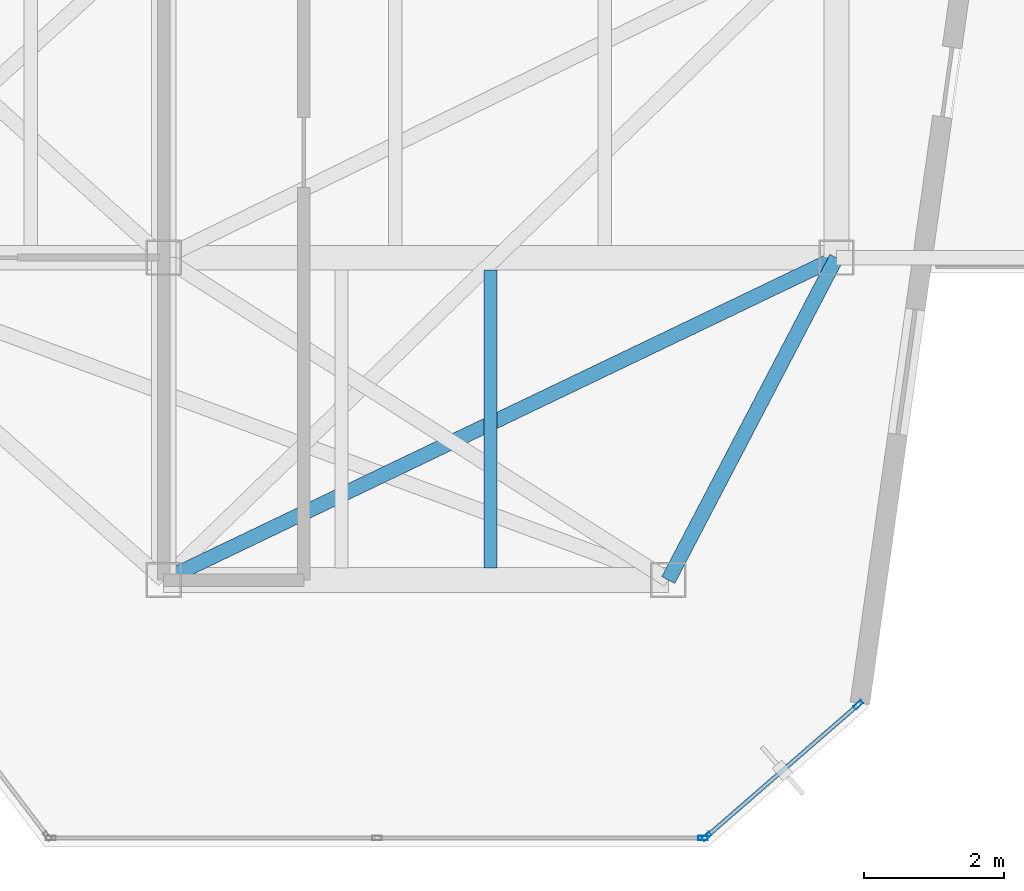
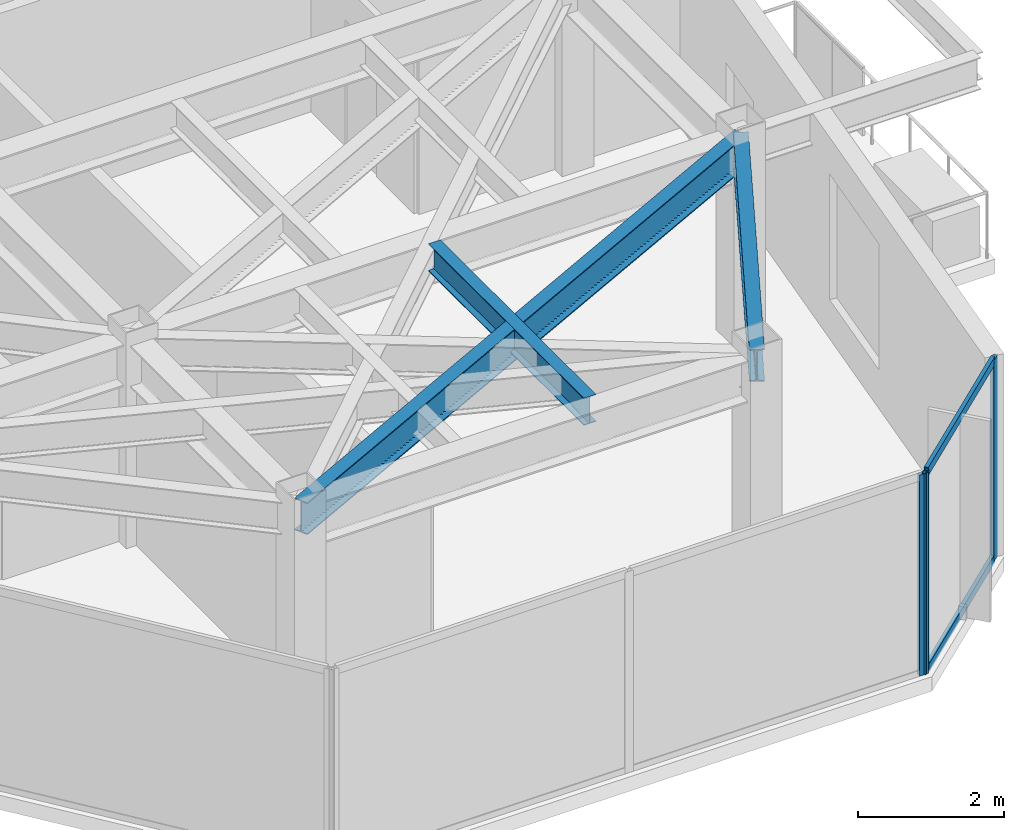
# One storey, part 13 of 19: 5 members, 3 beams, 2 elements without a shape of their own.
"""IFC4 building model written with IfcOpenShell, lengths in metres."""

from ifc_helpers import new_model, si_unit, direction, frame, origin, origin_2d, place, context, subcontext, project, spatial, hollow_rectangle, i_section, extrude, material, layer, layer_set, material_profile, profile_set, type_object, element, aggregate, save


model = new_model("IFC4")

# Units and contexts
model_context = context("Model", 3, precision=1e-05, world=origin(), true_north=direction((0.0, 1.0)))
body_context = subcontext(model_context, "Body", "Model", "MODEL_VIEW")
ifc_project = project(units=[si_unit("LENGTHUNIT", "METRE"), si_unit("AREAUNIT", "SQUARE_METRE"), si_unit("VOLUMEUNIT", "CUBIC_METRE"), si_unit("PLANEANGLEUNIT", "RADIAN"), si_unit("MASSUNIT", "GRAM", prefix="KILO")], contexts=[model_context])

# Site, building, storey
site_placement = place(None, origin())
site = spatial("IfcSite", under=ifc_project, at=site_placement, CompositionType="ELEMENT")
building_placement = place(site_placement, origin())
building = spatial("IfcBuilding", under=site, at=building_placement, Name="Kravanh Interchange Tower", CompositionType="ELEMENT")
storey_placement = place(building_placement, frame((0.0, 0.0, 267.0)))
storey = spatial("IfcBuildingStorey", under=building, at=storey_placement, Name="L65", CompositionType="ELEMENT", Elevation=267.0)

# Curtain wall, members
ifc_material_1 = material(Name="Anodised Bronze Aluminium", Category="aluminium")
ifc_layer = layer(ifc_material_1, 0.179931640625)
ifc_layer_set = layer_set([ifc_layer], Name="Unitised Curtain Wall System CW-HTL Luxury Hotel")
curtain_wall_type = type_object("IfcCurtainWallType", Name="Unitised Curtain Wall System CW-HTL Luxury Hotel", PredefinedType="NOTDEFINED", material=ifc_layer_set)
curtain_wall_1_placement = place(storey_placement, origin())
curtain_wall_1 = element("IfcCurtainWall", 1, at=curtain_wall_1_placement, inside=storey, type_object=curtain_wall_type, Name="L65 Unitised Curtain Wall CW-L65-02", PredefinedType="NOTDEFINED")
ifc_material_2 = material(Name="Anodised Bronze Aluminium", Category="aluminium")
ifc_material_profile_1 = material_profile(ifc_material_2, hollow_rectangle(XDim=0.06005859375, YDim=0.139892578125, WallThickness=0.00390625, at=origin_2d()), Name="ALU60X140X4")
ifc_profile_set_1 = profile_set([ifc_material_profile_1], Name="Anodised Bronze Aluminium")
member_type_1 = type_object("IfcMemberType", Name="Curtain Wall Mullion ALU60X140X4 Bronze", PredefinedType="MULLION", material=ifc_profile_set_1)
member_1_placement = place(storey_placement, frame((65.912841796875, 20.421875, 0.0), z_axis=(0.0, 0.0, 1.0), x_axis=(0.656033323139, -0.75473192521, 0.0)))
member_1 = element("IfcMember", 2, at=member_1_placement, type_object=member_type_1, Name="CW-HTL mullion 1", PredefinedType="MULLION", context=body_context, shape_type="SweptSolid", body=[
    extrude(hollow_rectangle(XDim=0.06005859375, YDim=0.139892578125, WallThickness=0.00390625, at=origin_2d()), origin(), (0.0, 0.0, 1.0), 3.360107421875),
])
member_2_placement = place(storey_placement, frame((63.74755859375, 18.539794921875, 0.0), z_axis=(0.0, 0.0, 1.0), x_axis=(0.656033323139, -0.75473192521, 0.0)))
member_2 = element("IfcMember", 3, at=member_2_placement, type_object=member_type_1, Name="CW-HTL mullion 2", PredefinedType="MULLION", context=body_context, shape_type="SweptSolid", body=[
    extrude(hollow_rectangle(XDim=0.06005859375, YDim=0.139892578125, WallThickness=0.00390625, at=origin_2d()), origin(), (0.0, 0.0, 1.0), 3.360107421875),
])

# Curtain wall, member
curtain_wall_2_placement = place(storey_placement, origin())
curtain_wall_2 = element("IfcCurtainWall", 4, at=curtain_wall_2_placement, inside=storey, type_object=curtain_wall_type, Name="L65 Unitised Curtain Wall CW-L65-03", PredefinedType="NOTDEFINED")
member_3_placement = place(storey_placement, frame((63.69482421875, 18.52001953125, 0.0), z_axis=(0.0, 0.0, 1.0), x_axis=(0.0, -1.0, 0.0)))
member_3 = element("IfcMember", 5, at=member_3_placement, type_object=member_type_1, Name="CW-HTL mullion 1", PredefinedType="MULLION", context=body_context, shape_type="SweptSolid", body=[
    extrude(hollow_rectangle(XDim=0.06005859375, YDim=0.139892578125, WallThickness=0.00390625, at=origin_2d()), origin(), (0.0, 0.0, 1.0), 3.360107421875),
])
aggregate(curtain_wall_2, [member_3])

# Member
ifc_material_3 = material(Name="Anodised Bronze Aluminium", Category="aluminium")
ifc_material_profile_2 = material_profile(ifc_material_3, hollow_rectangle(XDim=0.06005859375, YDim=0.139892578125, WallThickness=0.00390625, at=origin_2d()), Name="ALU60X140X4")
ifc_profile_set_2 = profile_set([ifc_material_profile_2], Name="Anodised Bronze Aluminium")
member_type_2 = type_object("IfcMemberType", Name="Curtain Wall Transom ALU60X140X4 Bronze", PredefinedType="USERDEFINED", material=ifc_profile_set_2)
member_4_placement = place(storey_placement, frame((65.89013671875, 20.40234375, 0.030029296875), z_axis=(-0.754704676026, -0.656064670581, 0.0), x_axis=(0.656064670581, -0.754704676026, 0.0)))
member_4 = element("IfcMember", 6, at=member_4_placement, type_object=member_type_2, Name="CW-HTL transom 1.1", ObjectType="TRANSOM", PredefinedType="USERDEFINED", context=body_context, shape_type="SweptSolid", body=[
    extrude(hollow_rectangle(XDim=0.06005859375, YDim=0.139892578125, WallThickness=0.00390625, at=origin_2d()), origin(), (0.0, 0.0, 1.0), 2.80908203125),
])

member_5_placement = place(storey_placement, frame((65.89013671875, 20.40234375, 3.330078125), z_axis=(-0.754704676026, -0.656064670581, 0.0), x_axis=(0.656064670581, -0.754704676026, 0.0)))
member_5 = element("IfcMember", 7, at=member_5_placement, type_object=member_type_2, Name="CW-HTL transom 1.2", ObjectType="TRANSOM", PredefinedType="USERDEFINED", context=body_context, shape_type="SweptSolid", body=[
    extrude(hollow_rectangle(XDim=0.06005859375, YDim=0.139892578125, WallThickness=0.00390625, at=origin_2d()), origin(), (0.0, 0.0, 1.0), 2.80908203125),
])

aggregate(curtain_wall_1, [member_1, member_2, member_4, member_5])

# Beams
ifc_material_4 = material(Name="Structural Steel S355", Category="steel")
ifc_material_profile_3 = material_profile(ifc_material_4, i_section(OverallWidth=0.18994140625, OverallDepth=0.45703125, WebThickness=0.009033203125, FlangeThickness=0.014404296875, FilletRadius=0.01806640625, at=origin_2d()), Name="W18X50")
ifc_profile_set_3 = profile_set([ifc_material_profile_3], Name="Structural Steel S355")
beam_type_1 = type_object("IfcBeamType", Name="Floor Joist W18X50 Structural Steel S355", PredefinedType="JOIST", material=ifc_profile_set_3)
beam_1_placement = place(storey_placement, frame((60.662109375, 22.37255859375, 3.131591796875), z_axis=(0.0, 1.0, 0.0), x_axis=(-1.0, 0.0, 0.0)))
element("IfcBeam", 8, at=beam_1_placement, inside=storey, type_object=beam_type_1, Name="L65 Secondary Floor Joist 2", PredefinedType="JOIST", context=body_context, shape_type="SweptSolid", body=[
    extrude(i_section(OverallWidth=0.18994140625, OverallDepth=0.45703125, WebThickness=0.009033203125, FlangeThickness=0.014404296875, FilletRadius=0.01806640625, at=origin_2d()), origin(), (0.0, 0.0, 1.0), 4.2548828125),
])
ifc_material_5 = material(Name="Structural Steel S355", Category="steel")
ifc_material_profile_4 = material_profile(ifc_material_5, i_section(OverallWidth=0.2099609375, OverallDepth=0.537109375, WebThickness=0.010986328125, FlangeThickness=0.017333984375, FilletRadius=0.02001953125, at=origin_2d()), Name="W21X68")
ifc_profile_set_4 = profile_set([ifc_material_profile_4], Name="Structural Steel S355")
beam_type_2 = type_object("IfcBeamType", Name="Floor Spandrel W21X68 Structural Steel S355", PredefinedType="SPANDREL", material=ifc_profile_set_4)
beam_2_placement = place(storey_placement, frame((65.60009765625, 26.800048828125, 3.091552734375), z_axis=(-0.462580479178, -0.886577295155, 0.0), x_axis=(0.886577295155, -0.462580479178, 0.0)))
element("IfcBeam", 9, at=beam_2_placement, inside=storey, type_object=beam_type_2, Name="L65 Perimeter Spandrel 31", PredefinedType="SPANDREL", context=body_context, shape_type="SweptSolid", body=[
    extrude(i_section(OverallWidth=0.2099609375, OverallDepth=0.537109375, WebThickness=0.010986328125, FlangeThickness=0.017333984375, FilletRadius=0.02001953125, at=origin_2d()), origin(), (0.0, 0.0, 1.0), 5.188720703125),
])
beam_3_placement = place(storey_placement, frame((65.60009765625, 26.800048828125, 3.091552734375), z_axis=(-0.901814166789, -0.432124066188, 0.0), x_axis=(0.432124066188, -0.901814166789, 0.0)))
element("IfcBeam", 10, at=beam_3_placement, inside=storey, type_object=beam_type_2, Name="L65 Perimeter Spandrel 32", PredefinedType="SPANDREL", context=body_context, shape_type="SweptSolid", body=[
    extrude(i_section(OverallWidth=0.2099609375, OverallDepth=0.537109375, WebThickness=0.010986328125, FlangeThickness=0.017333984375, FilletRadius=0.02001953125, at=origin_2d()), origin(), (0.0, 0.0, 1.0), 10.645263671875),
])

save(model, "model.ifc")
